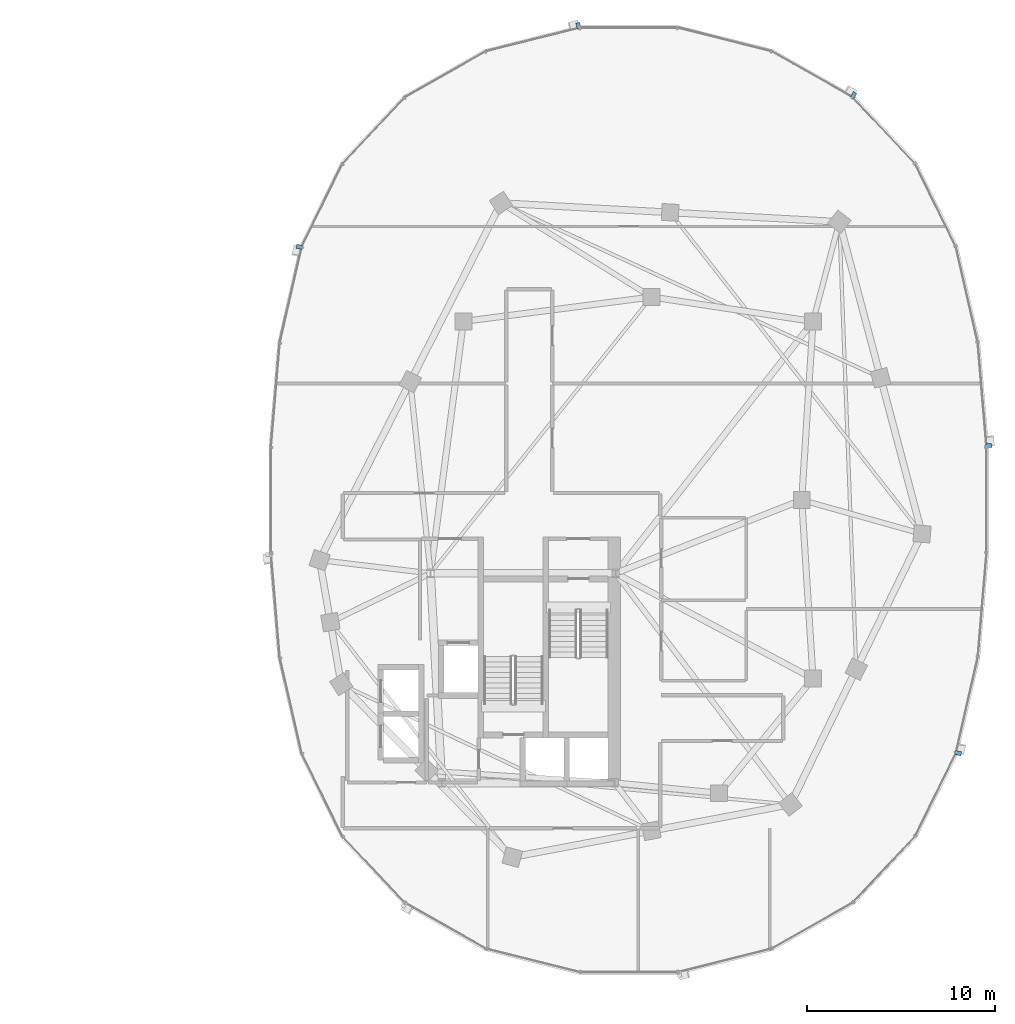
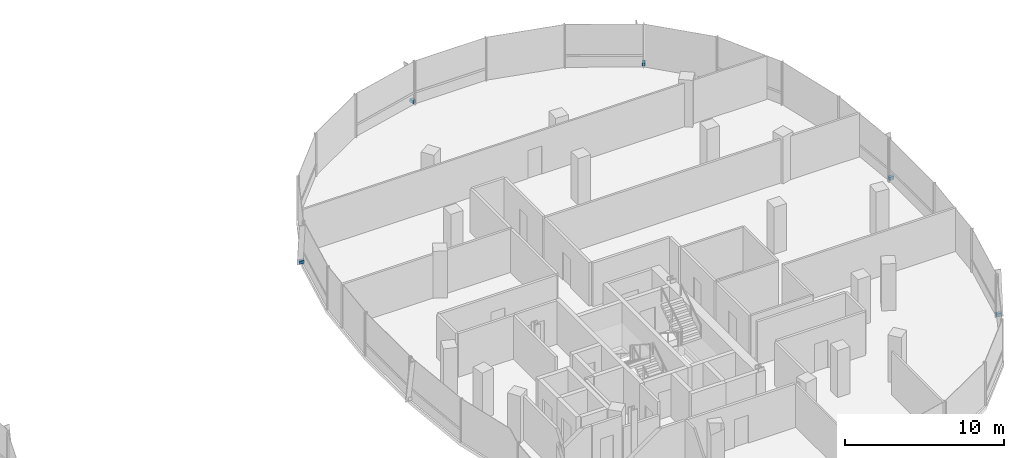
# One storey, part 20 of 25: 5 discrete accessories.
"""IFC4 building model written with IfcOpenShell, lengths in metres."""

from ifc_helpers import new_model, si_unit, direction, frame, origin, origin_2d, place, context, subcontext, project, spatial, rectangle, extrude, material, type_object, element, save


model = new_model("IFC4")

# Units and contexts
model_context = context("Model", 3, precision=1e-05, world=origin(), true_north=direction((0.0, 1.0)))
body_context = subcontext(model_context, "Body", "Model", "MODEL_VIEW")
ifc_project = project(units=[si_unit("LENGTHUNIT", "METRE"), si_unit("AREAUNIT", "SQUARE_METRE"), si_unit("VOLUMEUNIT", "CUBIC_METRE"), si_unit("PLANEANGLEUNIT", "RADIAN"), si_unit("MASSUNIT", "GRAM", prefix="KILO"), si_unit("THERMODYNAMICTEMPERATUREUNIT", "KELVIN"), si_unit("POWERUNIT", "WATT")], contexts=[model_context])

# Site, building, storey
site_placement = place(None, origin())
site = spatial("IfcSite", under=ifc_project, at=site_placement, CompositionType="ELEMENT")
building_placement = place(site_placement, origin())
building = spatial("IfcBuilding", under=site, at=building_placement, Name="Cundina Bronze Exchange", CompositionType="ELEMENT")
storey_placement = place(building_placement, frame((0.0, 0.0, 224.199951171875)))
storey = spatial("IfcBuildingStorey", under=building, at=storey_placement, Name="L59", CompositionType="ELEMENT", Elevation=224.199951171875)

# Discrete accessories
ifc_material = material(Name="Anodised Bronze Aluminium 6063-T6", Category="aluminium")
discrete_accessory_type = type_object("IfcDiscreteAccessoryType", Name="ACC-BRK-FIN", PredefinedType="BRACKET", material=ifc_material)
for number, where, z_axis, x_axis, name in (
    (1, (51.15478515625, 2.893798828125, 0.10009765625), (0.0, 0.0, 1.0), (-0.083747411454, 0.996487015006, 0.0), "L59 Fin Support Bracket 1"),
    (2, (43.961181640625, 21.539794921875, 0.10009765625), (0.0, 0.0, 1.0), (-0.869572506985, 0.493805280547, 0.0), "L59 Fin Support Bracket 5"),
    (3, (29.321044921875, 25.23779296875, 0.10009765625), (0.0, 0.0, 1.0), (-0.969731542251, -0.244173577528, 0.0), "L59 Fin Support Bracket 1"),
    (4, (14.470458984375, 13.468505859375, 0.10009765625), (0.0, 0.0, 1.0), (-0.223284141459, -0.974753400698, 0.0), "L59 Fin Support Bracket 5"),
    (5, (49.529541015625, -13.468505859375, 0.10009765625), (0.0, 0.0, 1.0), (0.223284141459, 0.974753400698, 0.0), "L59 Fin Support Bracket 5"),
):
    element("IfcDiscreteAccessory", number, at=place(storey_placement, frame(where, z_axis=z_axis, x_axis=x_axis)), inside=storey, type_object=discrete_accessory_type, Name=name, PredefinedType="BRACKET", context=body_context, shape_type="SweptSolid", body=[
        extrude(rectangle(XDim=0.219970703125, YDim=0.320068359375, at=origin_2d()), origin(), (0.0, 0.0, 1.0), 0.239990234375),
    ])

save(model, "model.ifc")
